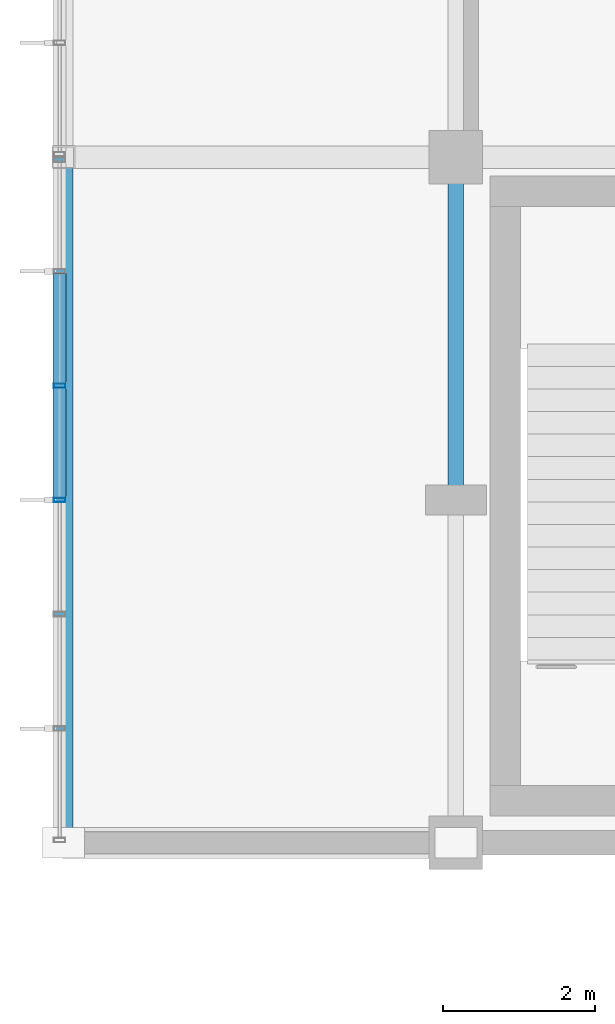
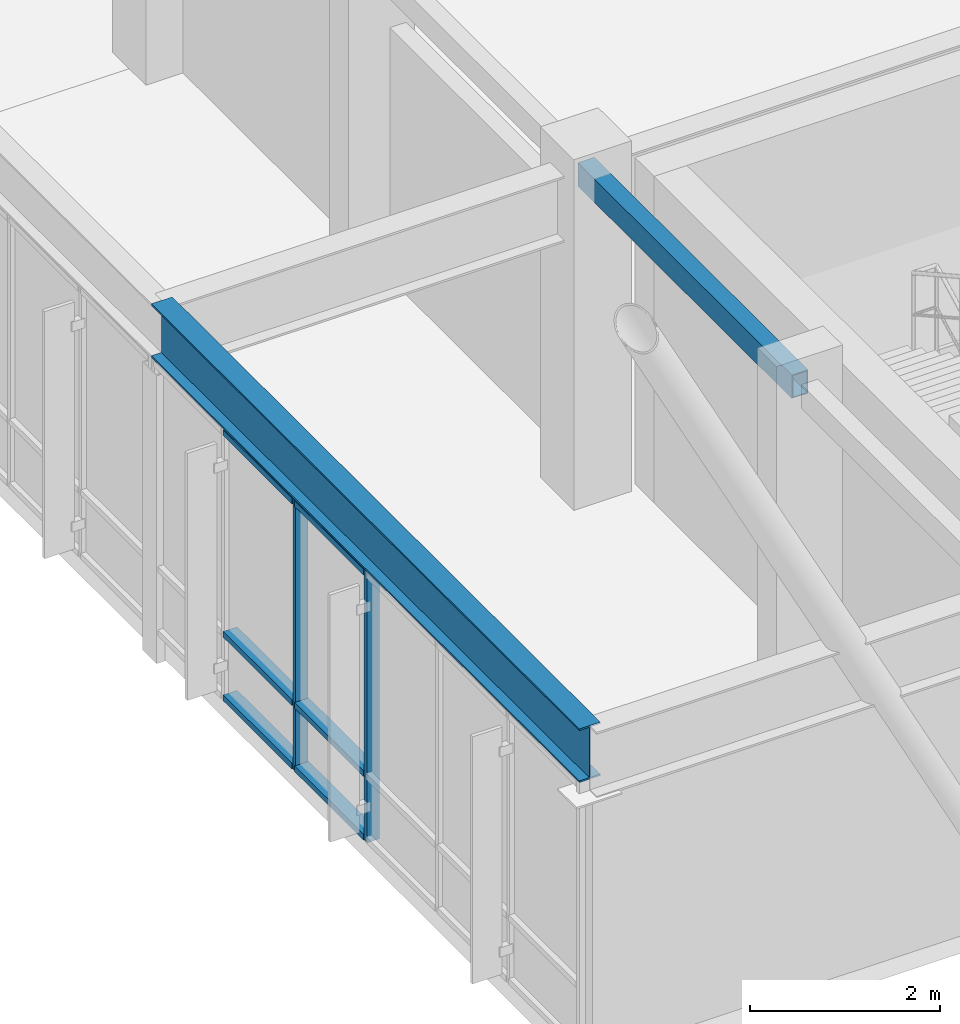
# One storey, part 14 of 55: 8 members, 2 beams, 1 element without a shape of its own.
"""IFC4 building model written with IfcOpenShell, lengths in metres."""

import ifcopenshell
import ifcopenshell.guid

model = None  # the IFC model being written
_history = None  # IfcOwnerHistory: only IFC2X3 demands one
_inside = {}  # id of a spatial element -> (the spatial element, [elements in it])
_under = {}  # id of a project, library or spatial element -> (it, [spatial elements below it])
_declared = {}  # id of a project -> (the project, [libraries it declares])
_typed = {}  # id of a type object -> (the type object, [elements of that type])
_made_of = {}  # id of a material, layer set ... -> (it, [elements and type objects made of it])


def new_model(schema):
    """Start an empty IFC model of exactly this schema.

    Asked for "IFC4X3", IfcOpenShell would pick the latest addendum, in which some entities
    have other attributes; the version numbers below select the first issue.
    IFC2X3 requires an IfcOwnerHistory on every rooted entity: one is made here for all.
    """
    global model, _history
    if schema == "IFC4X3":
        model = ifcopenshell.file(schema_version=(4, 3, 0, 0))
    else:
        model = ifcopenshell.file(schema=schema)
    _inside.clear()
    _under.clear()
    _declared.clear()
    _typed.clear()
    _made_of.clear()
    _history = None
    if model.schema == "IFC2X3":
        org = make("IfcOrganization", Name="unknown")
        user = make(
            "IfcPersonAndOrganization",
            ThePerson=make("IfcPerson", FamilyName="unknown"),
            TheOrganization=org,
        )
        app = make(
            "IfcApplication",
            ApplicationDeveloper=org,
            Version="unknown",
            ApplicationFullName="unknown",
            ApplicationIdentifier="unknown",
        )
        _history = make(
            "IfcOwnerHistory",
            OwningUser=user,
            OwningApplication=app,
            ChangeAction="ADDED",
            CreationDate=0,
        )
    return model


def make(cls, **values):
    """One entity of the class cls with the attributes given. An attribute that is None is left unset."""
    return model.create_entity(
        cls, **{name: value for name, value in values.items() if value is not None}
    )


def rooted(cls, **values):
    """An entity with a GlobalId (a new one), such as an element, a storey or a relation."""
    return make(cls, GlobalId=ifcopenshell.guid.new(), OwnerHistory=_history, **values)


def si_unit(unit_type, name, prefix=None):
    """IfcSIUnit, for example si_unit("LENGTHUNIT", "METRE", prefix="MILLI")."""
    return make("IfcSIUnit", UnitType=unit_type, Prefix=prefix, Name=name)


def assignment(units):
    """IfcUnitAssignment: the units of a project."""
    return None if units is None else make("IfcUnitAssignment", Units=units)


def point(xyz):
    """IfcCartesianPoint."""
    return None if xyz is None else make("IfcCartesianPoint", Coordinates=xyz)


def direction(xyz):
    """IfcDirection."""
    return None if xyz is None else make("IfcDirection", DirectionRatios=xyz)


def frame(location, z_axis=None, x_axis=None):
    """IfcAxis2Placement3D, a coordinate frame: its origin and axes. An axis left out is left unset."""
    return make(
        "IfcAxis2Placement3D",
        Location=point(location),
        Axis=direction(z_axis),
        RefDirection=direction(x_axis),
    )


def frame_2d(location, x_axis=None):
    """IfcAxis2Placement2D, a coordinate frame in the plane: its origin and x axis."""
    return make(
        "IfcAxis2Placement2D", Location=point(location), RefDirection=direction(x_axis)
    )


def origin():
    """The frame at (0, 0, 0) with its axes left unset."""
    return frame((0.0, 0.0, 0.0))


def origin_2d():
    """The frame at (0, 0) in the plane with its x axis left unset."""
    return frame_2d((0.0, 0.0))


def place(relative_to, where):
    """IfcLocalPlacement: puts the frame where relative to a parent placement (None: the world)."""
    return make(
        "IfcLocalPlacement", PlacementRelTo=relative_to, RelativePlacement=where
    )


def context(
    kind, dimensions, precision=None, world=None, true_north=None, identifier=None
):
    """IfcGeometricRepresentationContext, for example the 3D "Model" context."""
    return make(
        "IfcGeometricRepresentationContext",
        ContextIdentifier=identifier,
        ContextType=kind,
        CoordinateSpaceDimension=dimensions,
        Precision=precision,
        WorldCoordinateSystem=world,
        TrueNorth=true_north,
    )


def subcontext(parent, identifier, kind, view, scale=None):
    """IfcGeometricRepresentationSubContext, for example "Body" below "Model"."""
    return make(
        "IfcGeometricRepresentationSubContext",
        ContextIdentifier=identifier,
        ContextType=kind,
        ParentContext=parent,
        TargetScale=scale,
        TargetView=view,
    )


def project(units=None, contexts=None):
    """IfcProject with its units and contexts."""
    return rooted(
        "IfcProject",
        Name="project",
        RepresentationContexts=contexts,
        UnitsInContext=assignment(units),
    )


def spatial(cls, under=None, at=None, **own):
    """A site, building, storey or space (cls), placed at a placement, below another one or the project."""
    s = rooted(cls, ObjectPlacement=at, **own)
    if under is not None:
        _under.setdefault(under.id(), (under, []))[1].append(s)
    return s


def profile(cls, at=None, kind="AREA", **sizes):
    """A parametric profile (cls). Its sizes go by their IFC names, for example OverallWidth=200.0."""
    return make(cls, ProfileType=kind, Position=at, **sizes)


def hollow_rectangle(**sizes):
    """IfcRectangleHollowProfileDef."""
    return profile("IfcRectangleHollowProfileDef", **sizes)


def i_section(**sizes):
    """IfcIShapeProfileDef."""
    return profile("IfcIShapeProfileDef", **sizes)


def extrude(swept, where, along, depth):
    """IfcExtrudedAreaSolid: the profile swept, set in the frame where, extruded along a direction by depth."""
    return make(
        "IfcExtrudedAreaSolid",
        SweptArea=swept,
        Position=where,
        ExtrudedDirection=direction(along),
        Depth=depth,
    )


def shape(context_of_items, identifier, shape_type, items):
    """IfcShapeRepresentation: the items that make up one representation, for example the "Body"."""
    return make(
        "IfcShapeRepresentation",
        ContextOfItems=context_of_items,
        RepresentationIdentifier=identifier,
        RepresentationType=shape_type,
        Items=items,
    )


def material(Name=None, Category=None):
    """IfcMaterial."""
    return make("IfcMaterial", Name=Name, Category=Category)


def layer(
    of_material, thickness, ventilated=None, Name=None, Category=None, Priority=None
):
    """IfcMaterialLayer: one layer of a wall or slab, of a material (None: an air gap)."""
    return make(
        "IfcMaterialLayer",
        Material=of_material,
        LayerThickness=thickness,
        IsVentilated=ventilated,
        Name=Name,
        Category=Category,
        Priority=Priority,
    )


def layer_set(layers, Name=None):
    """IfcMaterialLayerSet."""
    return make("IfcMaterialLayerSet", MaterialLayers=layers, LayerSetName=Name)


def material_profile(
    of_material, cross_section, Name=None, Category=None, Priority=None
):
    """IfcMaterialProfile: a cross section and its material."""
    return make(
        "IfcMaterialProfile",
        Name=Name,
        Material=of_material,
        Profile=cross_section,
        Priority=Priority,
        Category=Category,
    )


def profile_set(profiles, Name=None, composite=None):
    """IfcMaterialProfileSet."""
    return make(
        "IfcMaterialProfileSet",
        Name=Name,
        MaterialProfiles=profiles,
        CompositeProfile=composite,
    )


def made_of(thing, what):
    """Note that an element or type object is made of a material, layer set ...; save() writes the relation."""
    if what is not None:
        _made_of.setdefault(what.id(), (what, []))[1].append(thing)
    return thing


def type_object(cls, material=None, **own):
    """A type object (cls), such as IfcWallType, which elements share."""
    return made_of(rooted(cls, **own), material)


def element(
    cls,
    number,
    at=None,
    inside=None,
    cuts=None,
    type_object=None,
    material=None,
    context=None,
    identifier="Body",
    shape_type=None,
    held_by="IfcProductDefinitionShape",
    body=None,
    shapes=None,
    **own,
):
    """One element of the class cls, such as IfcWall. Its Tag is "e" and its number.

    at: its placement. inside: the storey or other place that contains it. cuts: it is an
    opening in that element (IfcRelVoidsElement). A single representation is given by context,
    identifier, shape_type and body (its items); several are given by shapes. held_by: the class
    of the entity that holds the representations. save() writes the other relations.
    """
    e = rooted(cls, Tag="e%d" % number, ObjectPlacement=at, **own)
    if body is not None:
        shapes = [shape(context, identifier, shape_type, body)]
    if shapes is not None:
        e.Representation = make(held_by, Representations=shapes)
    if inside is not None:
        _inside.setdefault(inside.id(), (inside, []))[1].append(e)
    if cuts is not None:
        rooted(
            "IfcRelVoidsElement", RelatingBuildingElement=cuts, RelatedOpeningElement=e
        )
    if type_object is not None:
        _typed.setdefault(type_object.id(), (type_object, []))[1].append(e)
    return made_of(e, material)


def aggregate(whole, parts):
    """IfcRelAggregates: a whole, such as a stair, and the parts it consists of."""
    return rooted("IfcRelAggregates", RelatingObject=whole, RelatedObjects=parts)


def save(model, path):
    """Write the relations noted so far, then the file.

    IfcRelAggregates (storeys below a building ...), IfcRelContainedInSpatialStructure (elements
    in a storey), IfcRelDefinesByType, IfcRelAssociatesMaterial and IfcRelDeclares: one each for
    every whole, place, type object, material and project.
    """
    for whole, parts in _under.values():
        aggregate(whole, parts)
    for where, things in _inside.values():
        rooted(
            "IfcRelContainedInSpatialStructure",
            RelatedElements=things,
            RelatingStructure=where,
        )
    for kind, things in _typed.values():
        rooted("IfcRelDefinesByType", RelatedObjects=things, RelatingType=kind)
    for what, things in _made_of.values():
        rooted("IfcRelAssociatesMaterial", RelatedObjects=things, RelatingMaterial=what)
    for by, libraries in _declared.values():
        rooted("IfcRelDeclares", RelatingContext=by, RelatedDefinitions=libraries)
    model.write(path)


model = new_model("IFC4")

# Units and contexts
model_context = context("Model", 3, precision=1e-05, world=origin(), true_north=direction((0.0, 1.0)))
body_context = subcontext(model_context, "Body", "Model", "MODEL_VIEW")
ifc_project = project(units=[si_unit("LENGTHUNIT", "METRE"), si_unit("AREAUNIT", "SQUARE_METRE"), si_unit("VOLUMEUNIT", "CUBIC_METRE"), si_unit("PLANEANGLEUNIT", "RADIAN"), si_unit("MASSUNIT", "GRAM", prefix="KILO")], contexts=[model_context])

# Site, building, storey
site_placement = place(None, origin())
site = spatial("IfcSite", under=ifc_project, at=site_placement, CompositionType="ELEMENT")
building_placement = place(site_placement, origin())
building = spatial("IfcBuilding", under=site, at=building_placement, Name="Ventoquebrada Cableway Terminal", CompositionType="ELEMENT")
storey_placement = place(building_placement, frame((0.0, 0.0, 14.39990234375)))
storey = spatial("IfcBuildingStorey", under=building, at=storey_placement, Name="L03", CompositionType="ELEMENT", Elevation=14.39990234375)

# Beam
ifc_material_1 = material(Name="Steel ASTM A992 Grade 50", Category="steel")
ifc_material_profile_1 = material_profile(ifc_material_1, i_section(OverallWidth=0.25390625, OverallDepth=0.68798828125, WebThickness=0.01318359375, FlangeThickness=0.02099609375, at=origin_2d()), Name="W27X102")
ifc_profile_set_1 = profile_set([ifc_material_profile_1], Name="Steel ASTM A992 Grade 50")
beam_type_1 = type_object("IfcBeamType", Name="BM-ST04", PredefinedType="BEAM", material=ifc_profile_set_1)
beam_1_placement = place(storey_placement, frame((3.050048828125, 77.0, 3.821044921875), z_axis=(0.0, 1.0, 0.0), x_axis=(-1.0, 0.0, 0.0)))
element("IfcBeam", 1, at=beam_1_placement, inside=storey, type_object=beam_type_1, Name="Cantilever edge girder CB-015", PredefinedType="BEAM", context=body_context, shape_type="SweptSolid", body=[
    extrude(i_section(OverallWidth=0.25390625, OverallDepth=0.68798828125, WebThickness=0.01318359375, FlangeThickness=0.02099609375, at=origin_2d()), origin(), (0.0, 0.0, 1.0), 9.0),
])

# Curtain wall, members
ifc_material_2 = material(Name="Anodized thermally-broken aluminium", Category="aluminium")
ifc_layer = layer(ifc_material_2, 0.159912109375)
ifc_layer_set = layer_set([ifc_layer], Name="Anodized thermally-broken aluminium")
curtain_wall_type = type_object("IfcCurtainWallType", Name="CW-T22", PredefinedType="USERDEFINED", material=ifc_layer_set)
curtain_wall_placement = place(storey_placement, origin())
curtain_wall = element("IfcCurtainWall", 2, at=curtain_wall_placement, inside=storey, type_object=curtain_wall_type, Name="Unitised glazed curtain wall CW-056", ObjectType="UNITISED CURTAIN WALL", PredefinedType="USERDEFINED")
ifc_material_profile_2 = material_profile(ifc_material_2, hollow_rectangle(XDim=0.06005859375, YDim=0.14990234375, WallThickness=0.00390625, at=origin_2d()), Name="CW-MUL-60X150")
ifc_profile_set_2 = profile_set([ifc_material_profile_2], Name="Anodized thermally-broken aluminium")
member_type_1 = type_object("IfcMemberType", Name="CWM-03", PredefinedType="MULLION", material=ifc_profile_set_2)
member_1_placement = place(storey_placement, frame((3.0, 83.0, -0.0078125), z_axis=(0.0, 0.0, 1.0), x_axis=(0.0, -1.0, 0.0)))
member_1 = element("IfcMember", 3, at=member_1_placement, type_object=member_type_1, Name="Curtain wall mullion FML-0250", PredefinedType="MULLION", context=body_context, shape_type="SweptSolid", body=[
    extrude(hollow_rectangle(XDim=0.06005859375, YDim=0.14990234375, WallThickness=0.00390625, at=origin_2d()), origin(), (0.0, 0.0, 1.0), 3.48486328125),
])
member_2_placement = place(storey_placement, frame((3.0, 81.5, -0.0078125), z_axis=(0.0, 0.0, 1.0), x_axis=(0.0, -1.0, 0.0)))
member_2 = element("IfcMember", 4, at=member_2_placement, type_object=member_type_1, Name="Curtain wall mullion FML-0251", PredefinedType="MULLION", context=body_context, shape_type="SweptSolid", body=[
    extrude(hollow_rectangle(XDim=0.06005859375, YDim=0.14990234375, WallThickness=0.00390625, at=origin_2d()), origin(), (0.0, 0.0, 1.0), 3.48486328125),
])
ifc_material_profile_3 = material_profile(ifc_material_2, hollow_rectangle(XDim=0.074951171875, YDim=0.169921875, WallThickness=0.00439453125, at=origin_2d()), Name="CW-TRN-75X170")
ifc_profile_set_3 = profile_set([ifc_material_profile_3], Name="Anodized thermally-broken aluminium")
member_type_2 = type_object("IfcMemberType", Name="CWT-03", PredefinedType="USERDEFINED", material=ifc_profile_set_3)
member_3_placement = place(storey_placement, frame((3.0, 84.47509765625, 0.03515625), z_axis=(0.0, -1.0, 0.0), x_axis=(0.0, 0.0, 1.0)))
member_3 = element("IfcMember", 5, at=member_3_placement, type_object=member_type_2, Name="Curtain wall transom FTR-0741", ObjectType="TRANSOM", PredefinedType="USERDEFINED", context=body_context, shape_type="SweptSolid", body=[
    extrude(hollow_rectangle(XDim=0.074951171875, YDim=0.169921875, WallThickness=0.00439453125, at=origin_2d()), origin(), (0.0, 0.0, 1.0), 1.4501953125),
])
member_4_placement = place(storey_placement, frame((3.0, 84.47509765625, 0.85009765625), z_axis=(0.0, -1.0, 0.0), x_axis=(0.0, 0.0, 1.0)))
member_4 = element("IfcMember", 6, at=member_4_placement, type_object=member_type_2, Name="Curtain wall transom FTR-0742", ObjectType="TRANSOM", PredefinedType="USERDEFINED", context=body_context, shape_type="SweptSolid", body=[
    extrude(hollow_rectangle(XDim=0.074951171875, YDim=0.169921875, WallThickness=0.00439453125, at=origin_2d()), origin(), (0.0, 0.0, 1.0), 1.4501953125),
])
member_5_placement = place(storey_placement, frame((3.0, 84.47509765625, 3.43701171875), z_axis=(0.0, -1.0, 0.0), x_axis=(0.0, 0.0, 1.0)))
member_5 = element("IfcMember", 7, at=member_5_placement, type_object=member_type_2, Name="Curtain wall transom FTR-0743", ObjectType="TRANSOM", PredefinedType="USERDEFINED", context=body_context, shape_type="SweptSolid", body=[
    extrude(hollow_rectangle(XDim=0.074951171875, YDim=0.169921875, WallThickness=0.00439453125, at=origin_2d()), origin(), (0.0, 0.0, 1.0), 1.4501953125),
])
member_6_placement = place(storey_placement, frame((3.0, 82.97509765625, 0.03515625), z_axis=(0.0, -1.0, 0.0), x_axis=(0.0, 0.0, 1.0)))
member_6 = element("IfcMember", 8, at=member_6_placement, type_object=member_type_2, Name="Curtain wall transom FTR-0744", ObjectType="TRANSOM", PredefinedType="USERDEFINED", context=body_context, shape_type="SweptSolid", body=[
    extrude(hollow_rectangle(XDim=0.074951171875, YDim=0.169921875, WallThickness=0.00439453125, at=origin_2d()), origin(), (0.0, 0.0, 1.0), 1.4501953125),
])
member_7_placement = place(storey_placement, frame((3.0, 82.97509765625, 0.85009765625), z_axis=(0.0, -1.0, 0.0), x_axis=(0.0, 0.0, 1.0)))
member_7 = element("IfcMember", 9, at=member_7_placement, type_object=member_type_2, Name="Curtain wall transom FTR-0745", ObjectType="TRANSOM", PredefinedType="USERDEFINED", context=body_context, shape_type="SweptSolid", body=[
    extrude(hollow_rectangle(XDim=0.074951171875, YDim=0.169921875, WallThickness=0.00439453125, at=origin_2d()), origin(), (0.0, 0.0, 1.0), 1.4501953125),
])
member_8_placement = place(storey_placement, frame((3.0, 82.97509765625, 3.43701171875), z_axis=(0.0, -1.0, 0.0), x_axis=(0.0, 0.0, 1.0)))
member_8 = element("IfcMember", 10, at=member_8_placement, type_object=member_type_2, Name="Curtain wall transom FTR-0746", ObjectType="TRANSOM", PredefinedType="USERDEFINED", context=body_context, shape_type="SweptSolid", body=[
    extrude(hollow_rectangle(XDim=0.074951171875, YDim=0.169921875, WallThickness=0.00439453125, at=origin_2d()), origin(), (0.0, 0.0, 1.0), 1.4501953125),
])
aggregate(curtain_wall, [member_1, member_2, member_3, member_4, member_5, member_6, member_7, member_8])

# Beam
ifc_material_3 = material(Name="Steel ASTM A500 Grade C", Category="steel")
ifc_material_profile_4 = material_profile(ifc_material_3, hollow_rectangle(XDim=0.199951171875, YDim=0.300048828125, WallThickness=0.012451171875, at=origin_2d()), Name="RHS300X200X12.5")
ifc_profile_set_4 = profile_set([ifc_material_profile_4], Name="Steel ASTM A500 Grade C")
beam_type_2 = type_object("IfcBeamType", Name="SP-ST02", PredefinedType="SPANDREL", material=ifc_profile_set_4)
beam_2_placement = place(storey_placement, frame((8.199951171875, 81.5, 4.01513671875), z_axis=(0.0, 1.0, 0.0), x_axis=(-1.0, 0.0, 0.0)))
element("IfcBeam", 11, at=beam_2_placement, inside=storey, type_object=beam_type_2, Name="Perimeter spandrel beam FBM-0508", PredefinedType="SPANDREL", context=body_context, shape_type="SweptSolid", body=[
    extrude(hollow_rectangle(XDim=0.199951171875, YDim=0.300048828125, WallThickness=0.012451171875, at=origin_2d()), origin(), (0.0, 0.0, 1.0), 4.5),
])

save(model, "model.ifc")
